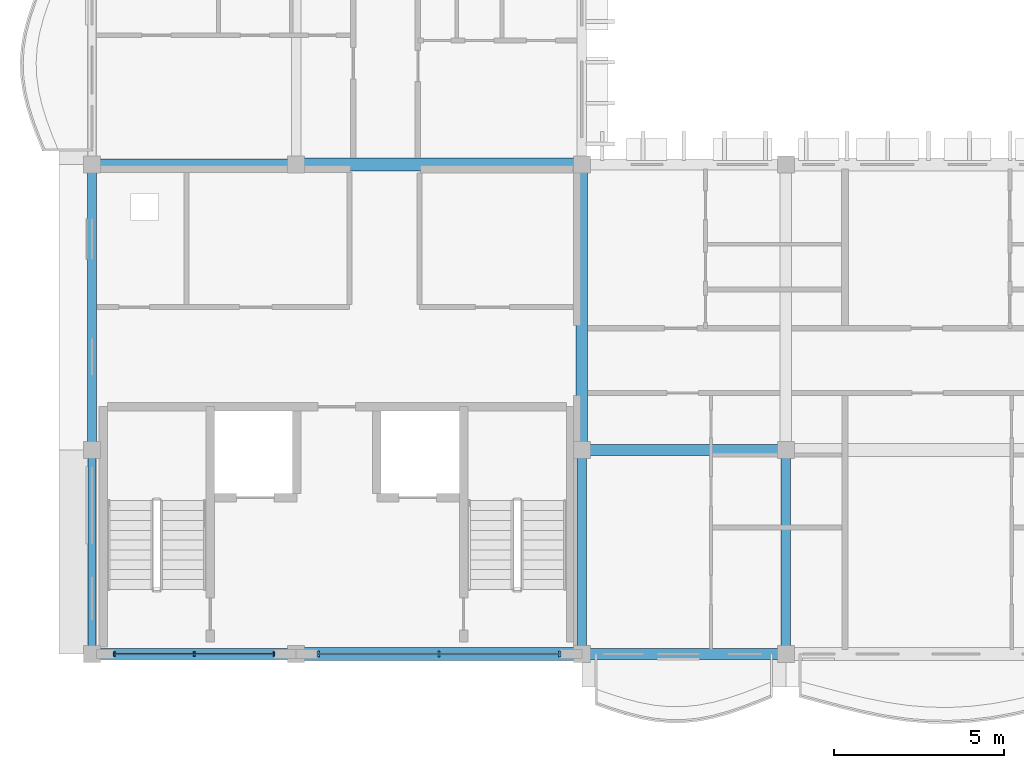
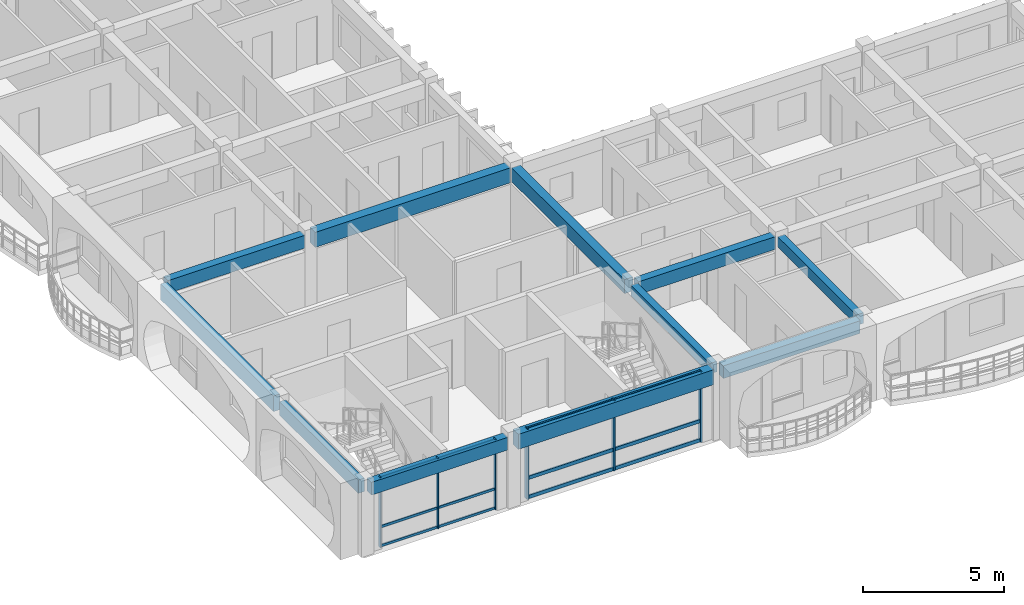
# One storey, part 3 of 59: 12 members, 11 beams, 2 elements without a shape of their own.
"""IFC4 building model written with IfcOpenShell, lengths in metres."""

from ifc_helpers import new_model, si_unit, direction, frame, origin, origin_2d, place, context, subcontext, project, spatial, rectangle, extrude, material, material_profile, profile_set, type_object, element, aggregate, save


model = new_model("IFC4")

# Units and contexts
model_context = context("Model", 3, precision=1e-05, world=origin(), true_north=direction((0.0, 1.0)))
body_context = subcontext(model_context, "Body", "Model", "MODEL_VIEW")
ifc_project = project(units=[si_unit("LENGTHUNIT", "METRE"), si_unit("AREAUNIT", "SQUARE_METRE"), si_unit("VOLUMEUNIT", "CUBIC_METRE"), si_unit("PLANEANGLEUNIT", "RADIAN"), si_unit("MASSUNIT", "GRAM", prefix="KILO"), si_unit("THERMODYNAMICTEMPERATUREUNIT", "KELVIN")], contexts=[model_context])

# Site, building, storey
site_placement = place(None, origin())
site = spatial("IfcSite", under=ifc_project, at=site_placement, CompositionType="ELEMENT")
building_placement = place(site_placement, origin())
building = spatial("IfcBuilding", under=site, at=building_placement, Name="Thalorik Housing Commons", CompositionType="ELEMENT")
storey_placement = place(building_placement, frame((0.0, 0.0, 27.89990234375)))
storey = spatial("IfcBuildingStorey", under=building, at=storey_placement, Name="L08", CompositionType="ELEMENT", Elevation=27.89990234375)

# Curtain wall, members
ifc_material_1 = material(Name="Anodised aluminium and solar-control low-E glass", Category="aluminium")
curtain_wall_type = type_object("IfcCurtainWallType", Name="ARC-CW-CORE", PredefinedType="USERDEFINED", material=ifc_material_1)
curtain_wall_1_placement = place(storey_placement, origin())
curtain_wall_1 = element("IfcCurtainWall", 1, at=curtain_wall_1_placement, inside=storey, type_object=curtain_wall_type, Name="L08 Curtain Wall CW-CORE-L08-C-162", ObjectType="CURTAIN WALL", PredefinedType="USERDEFINED")
ifc_material_2 = material(Name="Anodised aluminium 6063-T6", Category="aluminium")
ifc_material_profile_1 = material_profile(ifc_material_2, rectangle(XDim=0.054931640625, YDim=0.139892578125, at=origin_2d()), Name="ALU MUL 55x140", Category="aluminium")
ifc_profile_set_1 = profile_set([ifc_material_profile_1], Name="Anodised aluminium 6063-T6")
member_type_1 = type_object("IfcMemberType", Name="ARC-CW-MUL-55x140", PredefinedType="MULLION", material=ifc_profile_set_1)
member_1_placement = place(storey_placement, frame((9.050048828125, 8.39990234375, 0.0), z_axis=(0.0, 0.0, 1.0), x_axis=(1.0, 0.0, 0.0)))
member_1 = element("IfcMember", 2, at=member_1_placement, type_object=member_type_1, Name="CW-CORE-L08-C-162 Mullion 1", PredefinedType="MULLION", context=body_context, shape_type="SweptSolid", body=[
    extrude(rectangle(XDim=0.054931640625, YDim=0.139892578125, at=origin_2d()), origin(), (0.0, 0.0, 1.0), 3.0400390625),
])
member_2_placement = place(storey_placement, frame((11.39990234375, 8.39990234375, 0.0), z_axis=(0.0, 0.0, 1.0), x_axis=(1.0, 0.0, 0.0)))
member_2 = element("IfcMember", 3, at=member_2_placement, type_object=member_type_1, Name="CW-CORE-L08-C-162 Mullion 2", PredefinedType="MULLION", context=body_context, shape_type="SweptSolid", body=[
    extrude(rectangle(XDim=0.054931640625, YDim=0.139892578125, at=origin_2d()), origin(), (0.0, 0.0, 1.0), 3.0400390625),
])
member_3_placement = place(storey_placement, frame((13.75, 8.39990234375, 0.0), z_axis=(0.0, 0.0, 1.0), x_axis=(1.0, 0.0, 0.0)))
member_3 = element("IfcMember", 4, at=member_3_placement, type_object=member_type_1, Name="CW-CORE-L08-C-162 Mullion 3", PredefinedType="MULLION", context=body_context, shape_type="SweptSolid", body=[
    extrude(rectangle(XDim=0.054931640625, YDim=0.139892578125, at=origin_2d()), origin(), (0.0, 0.0, 1.0), 3.0400390625),
])

curtain_wall_2_placement = place(storey_placement, origin())
curtain_wall_2 = element("IfcCurtainWall", 5, at=curtain_wall_2_placement, inside=storey, type_object=curtain_wall_type, Name="L08 Curtain Wall CW-CORE-L08-C-163", ObjectType="CURTAIN WALL", PredefinedType="USERDEFINED")
ifc_material_profile_2 = material_profile(ifc_material_2, rectangle(XDim=0.06494140625, YDim=0.179931640625, at=origin_2d()), Name="ALU MUL 65x180", Category="aluminium")
ifc_profile_set_2 = profile_set([ifc_material_profile_2], Name="Anodised aluminium 6063-T6")
member_type_2 = type_object("IfcMemberType", Name="ARC-CW-MUL-65x180", PredefinedType="MULLION", material=ifc_profile_set_2)
member_4_placement = place(storey_placement, frame((15.050048828125, 8.39990234375, 0.0), z_axis=(0.0, 0.0, 1.0), x_axis=(1.0, 0.0, 0.0)))
member_4 = element("IfcMember", 6, at=member_4_placement, type_object=member_type_2, Name="CW-CORE-L08-C-163 Mullion 1", PredefinedType="MULLION", context=body_context, shape_type="SweptSolid", body=[
    extrude(rectangle(XDim=0.06494140625, YDim=0.179931640625, at=origin_2d()), origin(), (0.0, 0.0, 1.0), 3.0400390625),
])
member_5_placement = place(storey_placement, frame((18.60009765625, 8.39990234375, 0.0), z_axis=(0.0, 0.0, 1.0), x_axis=(1.0, 0.0, 0.0)))
member_5 = element("IfcMember", 7, at=member_5_placement, type_object=member_type_2, Name="CW-CORE-L08-C-163 Mullion 2", PredefinedType="MULLION", context=body_context, shape_type="SweptSolid", body=[
    extrude(rectangle(XDim=0.06494140625, YDim=0.179931640625, at=origin_2d()), origin(), (0.0, 0.0, 1.0), 3.0400390625),
])
member_6_placement = place(storey_placement, frame((22.14990234375, 8.39990234375, 0.0), z_axis=(0.0, 0.0, 1.0), x_axis=(1.0, 0.0, 0.0)))
member_6 = element("IfcMember", 8, at=member_6_placement, type_object=member_type_2, Name="CW-CORE-L08-C-163 Mullion 3", PredefinedType="MULLION", context=body_context, shape_type="SweptSolid", body=[
    extrude(rectangle(XDim=0.06494140625, YDim=0.179931640625, at=origin_2d()), origin(), (0.0, 0.0, 1.0), 3.0400390625),
])

# Member
ifc_material_profile_3 = material_profile(ifc_material_2, rectangle(XDim=0.054931640625, YDim=0.10498046875, at=origin_2d()), Name="ALU TRN 55x105", Category="aluminium")
ifc_profile_set_3 = profile_set([ifc_material_profile_3], Name="Anodised aluminium 6063-T6")
member_type_3 = type_object("IfcMemberType", Name="ARC-CW-TRN-55x105", PredefinedType="USERDEFINED", material=ifc_profile_set_3)
member_7_placement = place(storey_placement, frame((9.050048828125, 8.39990234375, 0.05517578125), z_axis=(1.0, 0.0, 0.0), x_axis=(0.0, 1.0, 0.0)))
member_7 = element("IfcMember", 9, at=member_7_placement, type_object=member_type_3, Name="CW-CORE-L08-C-162 Transom 1", ObjectType="TRANSOM", PredefinedType="USERDEFINED", context=body_context, shape_type="SweptSolid", body=[
    extrude(rectangle(XDim=0.054931640625, YDim=0.10498046875, at=origin_2d()), origin(), (0.0, 0.0, 1.0), 4.699951171875),
])

member_8_placement = place(storey_placement, frame((9.050048828125, 8.39990234375, 0.880126953125), z_axis=(1.0, 0.0, 0.0), x_axis=(0.0, 1.0, 0.0)))
member_8 = element("IfcMember", 10, at=member_8_placement, type_object=member_type_3, Name="CW-CORE-L08-C-162 Transom 2", ObjectType="TRANSOM", PredefinedType="USERDEFINED", context=body_context, shape_type="SweptSolid", body=[
    extrude(rectangle(XDim=0.054931640625, YDim=0.10498046875, at=origin_2d()), origin(), (0.0, 0.0, 1.0), 4.699951171875),
])

member_9_placement = place(storey_placement, frame((9.050048828125, 8.39990234375, 2.985107421875), z_axis=(1.0, 0.0, 0.0), x_axis=(0.0, 1.0, 0.0)))
member_9 = element("IfcMember", 11, at=member_9_placement, type_object=member_type_3, Name="CW-CORE-L08-C-162 Transom 3", ObjectType="TRANSOM", PredefinedType="USERDEFINED", context=body_context, shape_type="SweptSolid", body=[
    extrude(rectangle(XDim=0.054931640625, YDim=0.10498046875, at=origin_2d()), origin(), (0.0, 0.0, 1.0), 4.699951171875),
])

aggregate(curtain_wall_1, [member_1, member_2, member_3, member_7, member_8, member_9])

ifc_material_profile_4 = material_profile(ifc_material_2, rectangle(XDim=0.06494140625, YDim=0.14990234375, at=origin_2d()), Name="ALU TRN 65x150", Category="aluminium")
ifc_profile_set_4 = profile_set([ifc_material_profile_4], Name="Anodised aluminium 6063-T6")
member_type_4 = type_object("IfcMemberType", Name="ARC-CW-TRN-65x150", PredefinedType="USERDEFINED", material=ifc_profile_set_4)
member_10_placement = place(storey_placement, frame((15.050048828125, 8.39990234375, 0.05517578125), z_axis=(1.0, 0.0, 0.0), x_axis=(0.0, 1.0, 0.0)))
member_10 = element("IfcMember", 12, at=member_10_placement, type_object=member_type_4, Name="CW-CORE-L08-C-163 Transom 1", ObjectType="TRANSOM", PredefinedType="USERDEFINED", context=body_context, shape_type="SweptSolid", body=[
    extrude(rectangle(XDim=0.06494140625, YDim=0.14990234375, at=origin_2d()), origin(), (0.0, 0.0, 1.0), 7.099853515625),
])

member_11_placement = place(storey_placement, frame((15.050048828125, 8.39990234375, 0.880126953125), z_axis=(1.0, 0.0, 0.0), x_axis=(0.0, 1.0, 0.0)))
member_11 = element("IfcMember", 13, at=member_11_placement, type_object=member_type_4, Name="CW-CORE-L08-C-163 Transom 2", ObjectType="TRANSOM", PredefinedType="USERDEFINED", context=body_context, shape_type="SweptSolid", body=[
    extrude(rectangle(XDim=0.06494140625, YDim=0.14990234375, at=origin_2d()), origin(), (0.0, 0.0, 1.0), 7.099853515625),
])

member_12_placement = place(storey_placement, frame((15.050048828125, 8.39990234375, 2.985107421875), z_axis=(1.0, 0.0, 0.0), x_axis=(0.0, 1.0, 0.0)))
member_12 = element("IfcMember", 14, at=member_12_placement, type_object=member_type_4, Name="CW-CORE-L08-C-163 Transom 3", ObjectType="TRANSOM", PredefinedType="USERDEFINED", context=body_context, shape_type="SweptSolid", body=[
    extrude(rectangle(XDim=0.06494140625, YDim=0.14990234375, at=origin_2d()), origin(), (0.0, 0.0, 1.0), 7.099853515625),
])

aggregate(curtain_wall_2, [member_4, member_5, member_6, member_10, member_11, member_12])

# Beams
ifc_material_3 = material(Name="Precast concrete C40/50", Category="concrete")
ifc_material_profile_5 = material_profile(ifc_material_3, rectangle(XDim=0.280029296875, YDim=0.449951171875, at=origin_2d()), Name="PC 280x450", Category="concrete")
ifc_profile_set_5 = profile_set([ifc_material_profile_5], Name="Precast concrete C40/50")
beam_type_1 = type_object("IfcBeamType", Name="STR-BM-PC280x450", PredefinedType="BEAM", material=ifc_profile_set_5)
for number, where, z_axis, x_axis, name in (
    (15, (22.800048828125, 8.60009765625, 2.815185546875), (0.0, 1.0, 0.0), (-1.0, 0.0, 0.0), "L08 Beam B-450"),
    (16, (28.800048828125, 8.60009765625, 2.815185546875), (0.0, 1.0, 0.0), (-1.0, 0.0, 0.0), "L08 Beam B-450"),
):
    element("IfcBeam", number, at=place(storey_placement, frame(where, z_axis=z_axis, x_axis=x_axis)), inside=storey, type_object=beam_type_1, Name=name, PredefinedType="BEAM", context=body_context, shape_type="SweptSolid", body=[
        extrude(rectangle(XDim=0.280029296875, YDim=0.449951171875, at=origin_2d()), origin(), (0.0, 0.0, 1.0), 5.599853515625),
    ])
ifc_material_profile_6 = material_profile(ifc_material_3, rectangle(XDim=0.320068359375, YDim=0.550048828125, at=origin_2d()), Name="PC 320x550", Category="concrete")
ifc_profile_set_6 = profile_set([ifc_material_profile_6], Name="Precast concrete C40/50")
beam_type_2 = type_object("IfcBeamType", Name="STR-BM-PC320x550", PredefinedType="BEAM", material=ifc_profile_set_6)
beam_1_placement = place(storey_placement, frame((8.60009765625, 8.39990234375, 2.76513671875), z_axis=(1.0, 0.0, 0.0), x_axis=(0.0, 1.0, 0.0)))
element("IfcBeam", 17, at=beam_1_placement, inside=storey, type_object=beam_type_2, Name="L08 Beam B-550", PredefinedType="BEAM", context=body_context, shape_type="SweptSolid", body=[
    extrude(rectangle(XDim=0.320068359375, YDim=0.550048828125, at=origin_2d()), origin(), (0.0, 0.0, 1.0), 5.599853515625),
])
for number, where, z_axis, x_axis, name in (
    (18, (23.0, 8.39990234375, 2.76513671875), (1.0, 0.0, 0.0), (0.0, 1.0, 0.0), "L08 Beam B-550"),
    (19, (23.0, 14.39990234375, 2.76513671875), (1.0, 0.0, 0.0), (0.0, 1.0, 0.0), "L08 Beam B-550"),
):
    element("IfcBeam", number, at=place(storey_placement, frame(where, z_axis=z_axis, x_axis=x_axis)), inside=storey, type_object=beam_type_2, Name=name, PredefinedType="BEAM", context=body_context, shape_type="SweptSolid", body=[
        extrude(rectangle(XDim=0.320068359375, YDim=0.550048828125, at=origin_2d()), origin(), (0.0, 0.0, 1.0), 5.60009765625),
    ])
beam_2_placement = place(storey_placement, frame((8.60009765625, 22.800048828125, 2.76513671875), z_axis=(1.0, 0.0, 0.0), x_axis=(0.0, 1.0, 0.0)))
element("IfcBeam", 20, at=beam_2_placement, inside=storey, type_object=beam_type_2, Name="L08 Beam B-550", PredefinedType="BEAM", context=body_context, shape_type="SweptSolid", body=[
    extrude(rectangle(XDim=0.320068359375, YDim=0.550048828125, at=origin_2d()), origin(), (0.0, 0.0, 1.0), 5.599853515625),
])
ifc_material_profile_7 = material_profile(ifc_material_3, rectangle(XDim=0.35009765625, YDim=0.60009765625, at=origin_2d()), Name="PC 350x600", Category="concrete")
ifc_profile_set_7 = profile_set([ifc_material_profile_7], Name="Precast concrete C40/50")
beam_type_3 = type_object("IfcBeamType", Name="STR-BM-PC350x600", PredefinedType="BEAM", material=ifc_profile_set_7)
beam_3_placement = place(storey_placement, frame((22.800048828125, 14.60009765625, 2.739990234375), z_axis=(0.0, 1.0, 0.0), x_axis=(-1.0, 0.0, 0.0)))
element("IfcBeam", 21, at=beam_3_placement, inside=storey, type_object=beam_type_3, Name="L08 Beam B-600", PredefinedType="BEAM", context=body_context, shape_type="SweptSolid", body=[
    extrude(rectangle(XDim=0.35009765625, YDim=0.60009765625, at=origin_2d()), origin(), (0.0, 0.0, 1.0), 8.0),
])
ifc_material_profile_8 = material_profile(ifc_material_3, rectangle(XDim=0.3798828125, YDim=0.64990234375, at=origin_2d()), Name="PC 380x650", Category="concrete")
ifc_profile_set_8 = profile_set([ifc_material_profile_8], Name="Precast concrete C40/50")
beam_type_4 = type_object("IfcBeamType", Name="STR-BM-PC380x650", PredefinedType="BEAM", material=ifc_profile_set_8)
for number, where, z_axis, x_axis, name in (
    (22, (14.60009765625, 8.39990234375, 2.715087890625), (1.0, 0.0, 0.0), (0.0, 1.0, 0.0), "L08 Beam B-650"),
    (23, (14.60009765625, 22.800048828125, 2.715087890625), (1.0, 0.0, 0.0), (0.0, 1.0, 0.0), "L08 Beam B-650"),
):
    element("IfcBeam", number, at=place(storey_placement, frame(where, z_axis=z_axis, x_axis=x_axis)), inside=storey, type_object=beam_type_4, Name=name, PredefinedType="BEAM", context=body_context, shape_type="SweptSolid", body=[
        extrude(rectangle(XDim=0.3798828125, YDim=0.64990234375, at=origin_2d()), origin(), (0.0, 0.0, 1.0), 8.0),
    ])
ifc_material_profile_9 = material_profile(ifc_material_3, rectangle(XDim=0.239990234375, YDim=0.580078125, at=origin_2d()), Name="PC SP 240x580", Category="concrete")
ifc_profile_set_9 = profile_set([ifc_material_profile_9], Name="Precast concrete C40/50")
beam_type_5 = type_object("IfcBeamType", Name="STR-SP-PC240x580", PredefinedType="SPANDREL", material=ifc_profile_set_9)
beam_4_placement = place(storey_placement, frame((8.39990234375, 8.60009765625, 2.75), z_axis=(0.0, 1.0, 0.0), x_axis=(-1.0, 0.0, 0.0)))
element("IfcBeam", 24, at=beam_4_placement, inside=storey, type_object=beam_type_5, Name="L08 Beam B-450", PredefinedType="SPANDREL", context=body_context, shape_type="SweptSolid", body=[
    extrude(rectangle(XDim=0.239990234375, YDim=0.580078125, at=origin_2d()), origin(), (0.0, 0.0, 1.0), 5.599853515625),
])
ifc_material_profile_10 = material_profile(ifc_material_3, rectangle(XDim=0.260009765625, YDim=0.679931640625, at=origin_2d()), Name="PC SP 260x680", Category="concrete")
ifc_profile_set_10 = profile_set([ifc_material_profile_10], Name="Precast concrete C40/50")
beam_type_6 = type_object("IfcBeamType", Name="STR-SP-PC260x680", PredefinedType="SPANDREL", material=ifc_profile_set_10)
beam_5_placement = place(storey_placement, frame((8.39990234375, 14.60009765625, 2.7001953125), z_axis=(0.0, 1.0, 0.0), x_axis=(-1.0, 0.0, 0.0)))
element("IfcBeam", 25, at=beam_5_placement, inside=storey, type_object=beam_type_6, Name="L08 Beam B-600", PredefinedType="SPANDREL", context=body_context, shape_type="SweptSolid", body=[
    extrude(rectangle(XDim=0.260009765625, YDim=0.679931640625, at=origin_2d()), origin(), (0.0, 0.0, 1.0), 8.0),
])

save(model, "model.ifc")
